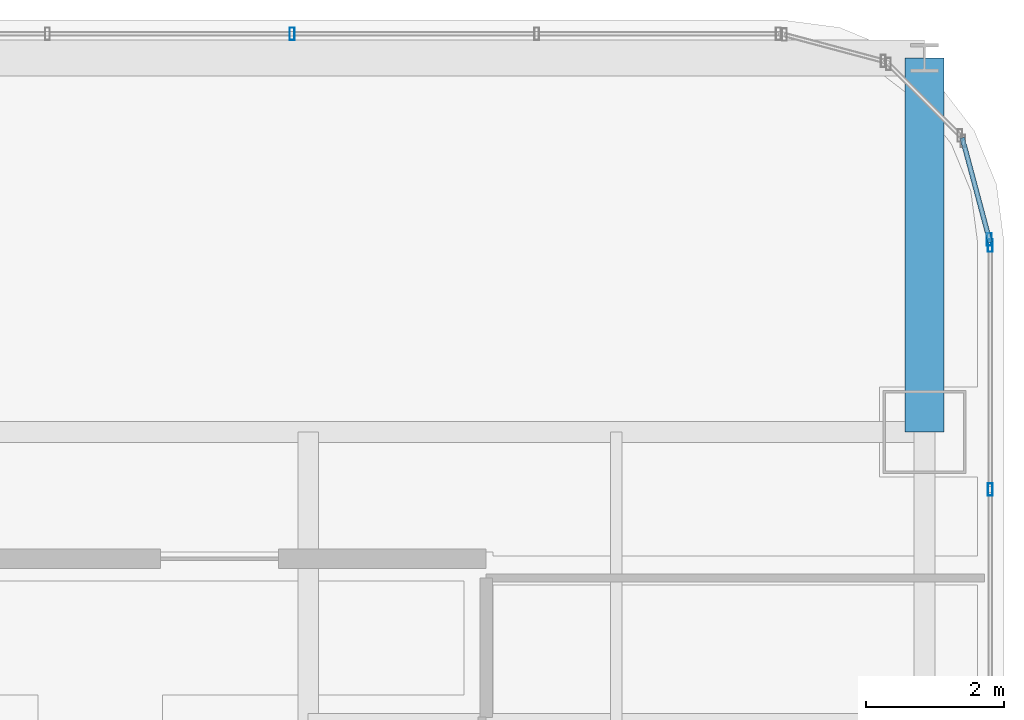
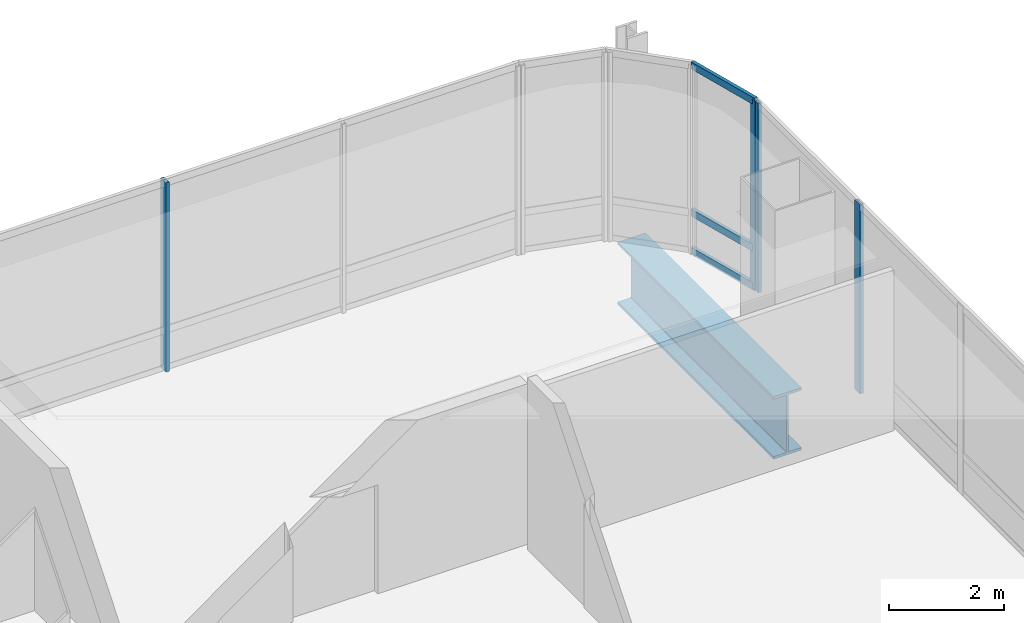
# One storey, part 29 of 42: 7 members, 1 beam, 3 elements without a shape of their own.
"""IFC4 building model written with IfcOpenShell, lengths in metres."""

from ifc_helpers import new_model, si_unit, direction, frame, origin, origin_2d, place, context, subcontext, project, spatial, hollow_rectangle, i_section, extrude, material, material_profile, profile_set, type_object, element, aggregate, save


model = new_model("IFC4")

# Units and contexts
model_context = context("Model", 3, precision=1e-05, world=origin(), true_north=direction((0.0, 1.0)))
body_context = subcontext(model_context, "Body", "Model", "MODEL_VIEW")
ifc_project = project(units=[si_unit("LENGTHUNIT", "METRE"), si_unit("AREAUNIT", "SQUARE_METRE"), si_unit("VOLUMEUNIT", "CUBIC_METRE"), si_unit("PLANEANGLEUNIT", "RADIAN"), si_unit("MASSUNIT", "GRAM", prefix="KILO")], contexts=[model_context])

# Site, building, storey
site_placement = place(None, origin())
site = spatial("IfcSite", under=ifc_project, at=site_placement, CompositionType="ELEMENT")
building_placement = place(site_placement, origin())
building = spatial("IfcBuilding", under=site, at=building_placement, Name="Punatoya Terracotta Tower", CompositionType="ELEMENT")
storey_placement = place(building_placement, frame((0.0, 0.0, 304.800048828125)))
storey = spatial("IfcBuildingStorey", under=building, at=storey_placement, Name="L72", CompositionType="ELEMENT", Elevation=304.800048828125)

# Beam
ifc_material_1 = material(Name="Steel S460", Category="steel")
ifc_material_profile_1 = material_profile(ifc_material_1, i_section(OverallWidth=0.56005859375, OverallDepth=1.320068359375, WebThickness=0.035888671875, FlangeThickness=0.054931640625, FilletRadius=0.01806640625, at=origin_2d()))
ifc_profile_set_1 = profile_set([ifc_material_profile_1], Name="Steel S460")
beam_type = type_object("IfcBeamType", Name="BM-TG-BLK", PredefinedType="BEAM", material=ifc_profile_set_1)
beam_placement = place(storey_placement, frame((19.10009765625, 17.5, -0.860107421875), z_axis=(0.0, 1.0, 0.0), x_axis=(-1.0, 0.0, 0.0)))
element("IfcBeam", 1, at=beam_placement, inside=storey, type_object=beam_type, Name="BM-L72-CANT-N4", PredefinedType="BEAM", context=body_context, shape_type="SweptSolid", body=[
    extrude(i_section(OverallWidth=0.56005859375, OverallDepth=1.320068359375, WebThickness=0.035888671875, FlangeThickness=0.054931640625, FilletRadius=0.01806640625, at=origin_2d()), origin(), (0.0, 0.0, 1.0), 5.39990234375),
])

# Curtain wall, members
ifc_material_2 = material(Name="Aluminium 6063-T6 + Double Low-E Glass", Category="aluminium")
curtain_wall_type = type_object("IfcCurtainWallType", Name="CW-M3", PredefinedType="NOTDEFINED", material=ifc_material_2)
curtain_wall_1_placement = place(storey_placement, origin())
curtain_wall_1 = element("IfcCurtainWall", 2, at=curtain_wall_1_placement, inside=storey, type_object=curtain_wall_type, Name="L72 Curtain Wall CW-L72-E05-1", PredefinedType="NOTDEFINED")
ifc_material_3 = material(Name="Aluminium 6063-T6", Category="aluminium")
ifc_material_profile_2 = material_profile(ifc_material_3, hollow_rectangle(XDim=0.070068359375, YDim=0.179931640625, WallThickness=0.00390625, at=origin_2d()))
ifc_profile_set_2 = profile_set([ifc_material_profile_2], Name="Aluminium 6063-T6")
member_type_1 = type_object("IfcMemberType", Name="CW-MUL-M3", PredefinedType="MULLION", material=ifc_profile_set_2)
member_1_placement = place(storey_placement, frame((20.050048828125, 16.66943359375, 0.0), z_axis=(0.0, 0.0, 1.0), x_axis=(1.0, 0.0, 0.0)))
member_1 = element("IfcMember", 3, at=member_1_placement, type_object=member_type_1, Name="CW-L72-E05-1 Mullion 09", PredefinedType="MULLION", context=body_context, shape_type="SweptSolid", body=[
    extrude(hollow_rectangle(XDim=0.070068359375, YDim=0.179931640625, WallThickness=0.00390625, at=origin_2d()), origin(), (0.0, 0.0, 1.0), 4.0),
])
member_2_placement = place(storey_placement, frame((20.050048828125, 20.19189453125, 0.0), z_axis=(0.0, 0.0, 1.0), x_axis=(1.0, 0.0, 0.0)))
member_2 = element("IfcMember", 4, at=member_2_placement, type_object=member_type_1, Name="CW-L72-E05-1 Mullion 10", PredefinedType="MULLION", context=body_context, shape_type="SweptSolid", body=[
    extrude(hollow_rectangle(XDim=0.070068359375, YDim=0.179931640625, WallThickness=0.00390625, at=origin_2d()), origin(), (0.0, 0.0, 1.0), 4.0),
])
aggregate(curtain_wall_1, [member_1, member_2])

# Curtain wall, member
curtain_wall_2_placement = place(storey_placement, origin())
curtain_wall_2 = element("IfcCurtainWall", 5, at=curtain_wall_2_placement, inside=storey, type_object=curtain_wall_type, Name="L72 Curtain Wall CW-L72-CRN06", PredefinedType="NOTDEFINED")
member_3_placement = place(storey_placement, frame((20.038330078125, 20.280517578125, 0.0), z_axis=(0.0, 0.0, 1.0), x_axis=(1.0, 0.0, 0.0)))
member_3 = element("IfcMember", 6, at=member_3_placement, type_object=member_type_1, Name="CW-L72-CRN06 Mullion 00", PredefinedType="MULLION", context=body_context, shape_type="SweptSolid", body=[
    extrude(hollow_rectangle(XDim=0.070068359375, YDim=0.179931640625, WallThickness=0.00390625, at=origin_2d()), origin(), (0.0, 0.0, 1.0), 4.0),
])

curtain_wall_3_placement = place(storey_placement, origin())
curtain_wall_3 = element("IfcCurtainWall", 7, at=curtain_wall_3_placement, inside=storey, type_object=curtain_wall_type, Name="L72 Curtain Wall CW-L72-N09-1", PredefinedType="NOTDEFINED")
member_4_placement = place(storey_placement, frame((9.968994140625, 23.25, 0.0), z_axis=(0.0, 0.0, 1.0), x_axis=(1.0, 0.0, 0.0)))
member_4 = element("IfcMember", 8, at=member_4_placement, type_object=member_type_1, Name="CW-L72-N09-1 Mullion 02", PredefinedType="MULLION", context=body_context, shape_type="SweptSolid", body=[
    extrude(hollow_rectangle(XDim=0.070068359375, YDim=0.179931640625, WallThickness=0.00390625, at=origin_2d()), origin(), (0.0, 0.0, 1.0), 4.0),
])
aggregate(curtain_wall_3, [member_4])

# Member
ifc_material_profile_3 = material_profile(ifc_material_3, hollow_rectangle(XDim=0.068115234375, YDim=0.14990234375, WallThickness=0.00390625, at=origin_2d()))
ifc_profile_set_3 = profile_set([ifc_material_profile_3], Name="Aluminium 6063-T6")
member_type_2 = type_object("IfcMemberType", Name="CW-TRN-TYP", PredefinedType="USERDEFINED", material=ifc_profile_set_3)
member_5_placement = place(storey_placement, frame((20.050048828125, 20.23681640625, 0.0400390625), z_axis=(-0.257847112249, 0.966185730957, 0.0), x_axis=(-0.966185730957, -0.257847112249, 0.0)))
member_5 = element("IfcMember", 9, at=member_5_placement, type_object=member_type_2, Name="CW-L72-CRN06 Transom 1", ObjectType="TRANSOM", PredefinedType="USERDEFINED", context=body_context, shape_type="SweptSolid", body=[
    extrude(hollow_rectangle(XDim=0.068115234375, YDim=0.14990234375, WallThickness=0.00390625, at=origin_2d()), origin(), (0.0, 0.0, 1.0), 1.565185546875),
])

member_6_placement = place(storey_placement, frame((20.050048828125, 20.23681640625, 0.849853515625), z_axis=(-0.257847112249, 0.966185730957, 0.0), x_axis=(-0.966185730957, -0.257847112249, 0.0)))
member_6 = element("IfcMember", 10, at=member_6_placement, type_object=member_type_2, Name="CW-L72-CRN06 Transom 2", ObjectType="TRANSOM", PredefinedType="USERDEFINED", context=body_context, shape_type="SweptSolid", body=[
    extrude(hollow_rectangle(XDim=0.068115234375, YDim=0.14990234375, WallThickness=0.00390625, at=origin_2d()), origin(), (0.0, 0.0, 1.0), 1.565185546875),
])

member_7_placement = place(storey_placement, frame((20.050048828125, 20.23681640625, 3.9599609375), z_axis=(-0.257847112249, 0.966185730957, 0.0), x_axis=(-0.966185730957, -0.257847112249, 0.0)))
member_7 = element("IfcMember", 11, at=member_7_placement, type_object=member_type_2, Name="CW-L72-CRN06 Transom 3", ObjectType="TRANSOM", PredefinedType="USERDEFINED", context=body_context, shape_type="SweptSolid", body=[
    extrude(hollow_rectangle(XDim=0.068115234375, YDim=0.14990234375, WallThickness=0.00390625, at=origin_2d()), origin(), (0.0, 0.0, 1.0), 1.565185546875),
])

aggregate(curtain_wall_2, [member_3, member_5, member_6, member_7])

save(model, "model.ifc")
